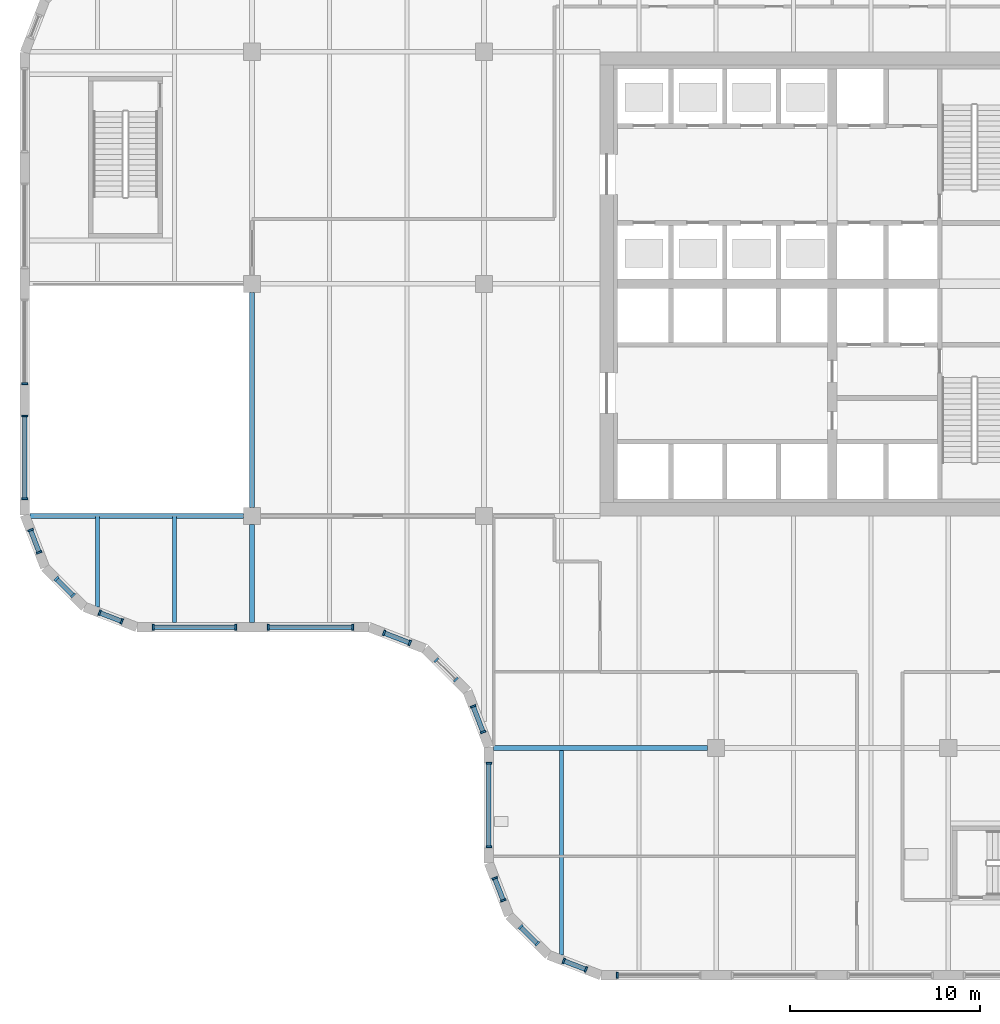
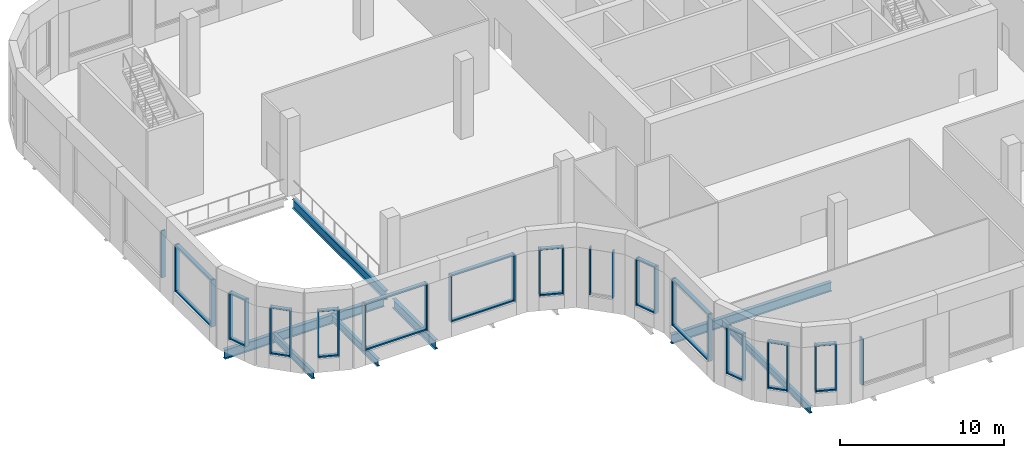
# One storey, part 2 of 36: 52 members, 7 beams, 15 elements without a shape of their own.
"""IFC4 building model written with IfcOpenShell, lengths in metres."""

from ifc_helpers import new_model, si_unit, direction, frame, origin, origin_2d, place, context, subcontext, project, spatial, rectangle, i_section, extrude, material, material_profile, profile_set, type_object, element, aggregate, save


model = new_model("IFC4")

# Units and contexts
model_context = context("Model", 3, precision=1e-05, world=origin(), true_north=direction((0.0, 1.0)))
body_context = subcontext(model_context, "Body", "Model", "MODEL_VIEW")
ifc_project = project(units=[si_unit("LENGTHUNIT", "METRE"), si_unit("AREAUNIT", "SQUARE_METRE"), si_unit("VOLUMEUNIT", "CUBIC_METRE"), si_unit("PLANEANGLEUNIT", "RADIAN"), si_unit("MASSUNIT", "GRAM", prefix="KILO")], contexts=[model_context])

# Site, building, storey
site_placement = place(None, origin())
site = spatial("IfcSite", under=ifc_project, at=site_placement, CompositionType="ELEMENT")
building_placement = place(site_placement, origin())
building = spatial("IfcBuilding", under=site, at=building_placement, Name="Tessera Gate Towers", CompositionType="ELEMENT")
storey_placement = place(building_placement, frame((0.0, 0.0, 106.60009765625)))
storey = spatial("IfcBuildingStorey", under=building, at=storey_placement, Name="L26", CompositionType="ELEMENT", Elevation=106.60009765625)

# Beams
ifc_material_1 = material(Name="Steel 350W", Category="steel")
ifc_material_profile_1 = material_profile(ifc_material_1, i_section(OverallWidth=0.2529296875, OverallDepth=0.677978515625, WebThickness=0.01171875, FlangeThickness=0.016357421875, at=origin_2d()), Name="W690x125")
ifc_profile_set_1 = profile_set([ifc_material_profile_1], Name="Steel 350W")
beam_type_1 = type_object("IfcBeamType", Name="FLOOR GIRDER W690x125", PredefinedType="BEAM", material=ifc_profile_set_1)
beam_1_placement = place(storey_placement, frame((24.89892578125, 12.199951171875, -0.589111328125), z_axis=(1.0, 0.0, 0.0), x_axis=(0.0, 1.0, 0.0)))
element("IfcBeam", 1, at=beam_1_placement, inside=storey, type_object=beam_type_1, Name="T1-GD-L26-3401", PredefinedType="BEAM", context=body_context, shape_type="SweptSolid", body=[
    extrude(i_section(OverallWidth=0.2529296875, OverallDepth=0.677978515625, WebThickness=0.01171875, FlangeThickness=0.016357421875, at=origin_2d()), origin(), (0.0, 0.0, 1.0), 11.2509765625),
])
beam_2_placement = place(storey_placement, frame((0.534912109375, 24.39990234375, -0.589111328125), z_axis=(1.0, 0.0, 0.0), x_axis=(0.0, 1.0, 0.0)))
element("IfcBeam", 2, at=beam_2_placement, inside=storey, type_object=beam_type_1, Name="T1-GD-L26-3404", PredefinedType="BEAM", context=body_context, shape_type="SweptSolid", body=[
    extrude(i_section(OverallWidth=0.2529296875, OverallDepth=0.677978515625, WebThickness=0.01171875, FlangeThickness=0.016357421875, at=origin_2d()), origin(), (0.0, 0.0, 1.0), 11.215087890625),
])
beam_3_placement = place(storey_placement, frame((12.199951171875, 18.799072265625, -0.589111328125), z_axis=(0.0, 1.0, 0.0), x_axis=(-1.0, 0.0, 0.0)))
element("IfcBeam", 3, at=beam_3_placement, inside=storey, type_object=beam_type_1, Name="T1-GD-L26-3416", PredefinedType="BEAM", context=body_context, shape_type="SweptSolid", body=[
    extrude(i_section(OverallWidth=0.2529296875, OverallDepth=0.677978515625, WebThickness=0.01171875, FlangeThickness=0.016357421875, at=origin_2d()), origin(), (0.0, 0.0, 1.0), 5.15087890625),
])
beam_4_placement = place(storey_placement, frame((12.199951171875, 24.85009765625, -0.589111328125), z_axis=(0.0, 1.0, 0.0), x_axis=(-1.0, 0.0, 0.0)))
element("IfcBeam", 4, at=beam_4_placement, inside=storey, type_object=beam_type_1, Name="T1-GD-L26-3417", PredefinedType="BEAM", context=body_context, shape_type="SweptSolid", body=[
    extrude(i_section(OverallWidth=0.2529296875, OverallDepth=0.677978515625, WebThickness=0.01171875, FlangeThickness=0.016357421875, at=origin_2d()), origin(), (0.0, 0.0, 1.0), 11.2998046875),
])
ifc_material_2 = material(Name="Steel 350W", Category="steel")
ifc_material_profile_2 = material_profile(ifc_material_2, i_section(OverallWidth=0.208984375, OverallDepth=0.528076171875, WebThickness=0.009521484375, FlangeThickness=0.01318359375, at=origin_2d()), Name="W530x82")
ifc_profile_set_2 = profile_set([ifc_material_profile_2], Name="Steel 350W")
beam_type_2 = type_object("IfcBeamType", Name="FLOOR SECONDARY W530x82", PredefinedType="BEAM", material=ifc_profile_set_2)
beam_5_placement = place(storey_placement, frame((4.066650390625, 19.620361328125, -0.51416015625), z_axis=(0.0, 1.0, 0.0), x_axis=(-1.0, 0.0, 0.0)))
element("IfcBeam", 5, at=beam_5_placement, inside=storey, type_object=beam_type_2, Name="T1-BM-L26-3437", PredefinedType="BEAM", context=body_context, shape_type="SweptSolid", body=[
    extrude(i_section(OverallWidth=0.208984375, OverallDepth=0.528076171875, WebThickness=0.009521484375, FlangeThickness=0.01318359375, at=origin_2d()), origin(), (0.0, 0.0, 1.0), 4.779541015625),
])
beam_6_placement = place(storey_placement, frame((8.13330078125, 18.800048828125, -0.51416015625), z_axis=(0.0, 1.0, 0.0), x_axis=(-1.0, 0.0, 0.0)))
element("IfcBeam", 6, at=beam_6_placement, inside=storey, type_object=beam_type_2, Name="T1-BM-L26-3440", PredefinedType="BEAM", context=body_context, shape_type="SweptSolid", body=[
    extrude(i_section(OverallWidth=0.208984375, OverallDepth=0.528076171875, WebThickness=0.009521484375, FlangeThickness=0.01318359375, at=origin_2d()), origin(), (0.0, 0.0, 1.0), 5.599853515625),
])
beam_7_placement = place(storey_placement, frame((28.466796875, 1.3203125, -0.51416015625), z_axis=(0.0, 1.0, 0.0), x_axis=(-1.0, 0.0, 0.0)))
element("IfcBeam", 7, at=beam_7_placement, inside=storey, type_object=beam_type_2, Name="T1-BM-L26-3451", PredefinedType="BEAM", context=body_context, shape_type="SweptSolid", body=[
    extrude(i_section(OverallWidth=0.208984375, OverallDepth=0.528076171875, WebThickness=0.009521484375, FlangeThickness=0.01318359375, at=origin_2d()), origin(), (0.0, 0.0, 1.0), 10.753173828125),
])

# Curtain wall, member
ifc_material_3 = material(Name="Aluminium frame", Category="aluminium")
curtain_wall_type = type_object("IfcCurtainWallType", Name="CW-S3 amenity floor glazing", PredefinedType="NOTDEFINED", material=ifc_material_3)
curtain_wall_1_placement = place(storey_placement, origin())
curtain_wall_1 = element("IfcCurtainWall", 8, at=curtain_wall_1_placement, inside=storey, type_object=curtain_wall_type, Name="Curtain wall amenity floor glazing 0001", PredefinedType="NOTDEFINED")
ifc_material_4 = material(Name="Aluminium frame", Category="aluminium")
ifc_material_profile_3 = material_profile(ifc_material_4, rectangle(XDim=0.10009765625, YDim=0.300048828125, at=origin_2d()), Name="AL 100x300")
ifc_profile_set_3 = profile_set([ifc_material_profile_3], Name="Aluminium frame")
member_type_1 = type_object("IfcMemberType", Name="MU-S3 mullion 100x300", PredefinedType="MULLION", material=ifc_profile_set_3)
member_1_placement = place(storey_placement, frame((31.396484375, 0.25, 1.0), z_axis=(0.0, 0.0, 1.0), x_axis=(1.0, 0.0, 0.0)))
member_1 = element("IfcMember", 9, at=member_1_placement, type_object=member_type_1, Name="T1-CW3-0001 mullion 1", PredefinedType="MULLION", context=body_context, shape_type="SweptSolid", body=[
    extrude(rectangle(XDim=0.10009765625, YDim=0.300048828125, at=origin_2d()), origin(), (0.0, 0.0, 1.0), 3.5),
])
aggregate(curtain_wall_1, [member_1])

curtain_wall_2_placement = place(storey_placement, origin())
curtain_wall_2 = element("IfcCurtainWall", 10, at=curtain_wall_2_placement, inside=storey, type_object=curtain_wall_type, Name="Curtain wall amenity floor glazing 0031", PredefinedType="NOTDEFINED")
member_2_placement = place(storey_placement, frame((0.25, 31.35009765625, 1.0), z_axis=(0.0, 0.0, 1.0), x_axis=(0.0, -1.0, 0.0)))
member_2 = element("IfcMember", 11, at=member_2_placement, type_object=member_type_1, Name="T1-CW3-0031 mullion 2", PredefinedType="MULLION", context=body_context, shape_type="SweptSolid", body=[
    extrude(rectangle(XDim=0.10009765625, YDim=0.300048828125, at=origin_2d()), origin(), (0.0, 0.0, 1.0), 3.5),
])
aggregate(curtain_wall_2, [member_2])

# Curtain wall, members
curtain_wall_3_placement = place(storey_placement, origin())
curtain_wall_3 = element("IfcCurtainWall", 12, at=curtain_wall_3_placement, inside=storey, type_object=curtain_wall_type, Name="Curtain wall amenity floor glazing 0032", PredefinedType="NOTDEFINED")
member_3_placement = place(storey_placement, frame((0.25, 29.64990234375, 1.0), z_axis=(0.0, 0.0, 1.0), x_axis=(0.0, -1.0, 0.0)))
member_3 = element("IfcMember", 13, at=member_3_placement, type_object=member_type_1, Name="T1-CW3-0032 mullion 1", PredefinedType="MULLION", context=body_context, shape_type="SweptSolid", body=[
    extrude(rectangle(XDim=0.10009765625, YDim=0.300048828125, at=origin_2d()), origin(), (0.0, 0.0, 1.0), 3.5),
])
member_4_placement = place(storey_placement, frame((0.25, 25.296630859375, 1.0), z_axis=(0.0, 0.0, 1.0), x_axis=(0.0, -1.0, 0.0)))
member_4 = element("IfcMember", 14, at=member_4_placement, type_object=member_type_1, Name="T1-CW3-0032 mullion 2", PredefinedType="MULLION", context=body_context, shape_type="SweptSolid", body=[
    extrude(rectangle(XDim=0.10009765625, YDim=0.300048828125, at=origin_2d()), origin(), (0.0, 0.0, 1.0), 3.5),
])

curtain_wall_4_placement = place(storey_placement, origin())
curtain_wall_4 = element("IfcCurtainWall", 15, at=curtain_wall_4_placement, inside=storey, type_object=curtain_wall_type, Name="Curtain wall amenity floor glazing 0033", PredefinedType="NOTDEFINED")
member_5_placement = place(storey_placement, frame((0.555908203125, 23.653564453125, 1.0), z_axis=(0.0, 0.0, 1.0), x_axis=(0.359904070394, -0.932989314041, 0.0)))
member_5 = element("IfcMember", 16, at=member_5_placement, type_object=member_type_1, Name="T1-CW3-0033 mullion 1", PredefinedType="MULLION", context=body_context, shape_type="SweptSolid", body=[
    extrude(rectangle(XDim=0.10009765625, YDim=0.300048828125, at=origin_2d()), origin(), (0.0, 0.0, 1.0), 3.5),
])
member_6_placement = place(storey_placement, frame((1.006103515625, 22.48681640625, 1.0), z_axis=(0.0, 0.0, 1.0), x_axis=(0.359904070394, -0.932989314041, 0.0)))
member_6 = element("IfcMember", 17, at=member_6_placement, type_object=member_type_1, Name="T1-CW3-0033 mullion 2", PredefinedType="MULLION", context=body_context, shape_type="SweptSolid", body=[
    extrude(rectangle(XDim=0.10009765625, YDim=0.300048828125, at=origin_2d()), origin(), (0.0, 0.0, 1.0), 3.5),
])

curtain_wall_5_placement = place(storey_placement, origin())
curtain_wall_5 = element("IfcCurtainWall", 18, at=curtain_wall_5_placement, inside=storey, type_object=curtain_wall_type, Name="Curtain wall amenity floor glazing 0034", PredefinedType="NOTDEFINED")
member_7_placement = place(storey_placement, frame((1.912841796875, 21.0927734375, 1.0), z_axis=(0.0, 0.0, 1.0), x_axis=(0.707106781187, -0.707106781187, 0.0)))
member_7 = element("IfcMember", 19, at=member_7_placement, type_object=member_type_1, Name="T1-CW3-0034 mullion 1", PredefinedType="MULLION", context=body_context, shape_type="SweptSolid", body=[
    extrude(rectangle(XDim=0.10009765625, YDim=0.300048828125, at=origin_2d()), origin(), (0.0, 0.0, 1.0), 3.5),
])
member_8_placement = place(storey_placement, frame((2.792724609375, 20.212890625, 1.0), z_axis=(0.0, 0.0, 1.0), x_axis=(0.707106781187, -0.707106781187, 0.0)))
member_8 = element("IfcMember", 20, at=member_8_placement, type_object=member_type_1, Name="T1-CW3-0034 mullion 2", PredefinedType="MULLION", context=body_context, shape_type="SweptSolid", body=[
    extrude(rectangle(XDim=0.10009765625, YDim=0.300048828125, at=origin_2d()), origin(), (0.0, 0.0, 1.0), 3.5),
])

curtain_wall_6_placement = place(storey_placement, origin())
curtain_wall_6 = element("IfcCurtainWall", 21, at=curtain_wall_6_placement, inside=storey, type_object=curtain_wall_type, Name="Curtain wall amenity floor glazing 0035", PredefinedType="NOTDEFINED")
member_9_placement = place(storey_placement, frame((4.186767578125, 19.305908203125, 1.0), z_axis=(0.0, 0.0, 1.0), x_axis=(0.932989314041, -0.359904070394, 0.0)))
member_9 = element("IfcMember", 22, at=member_9_placement, type_object=member_type_1, Name="T1-CW3-0035 mullion 1", PredefinedType="MULLION", context=body_context, shape_type="SweptSolid", body=[
    extrude(rectangle(XDim=0.10009765625, YDim=0.300048828125, at=origin_2d()), origin(), (0.0, 0.0, 1.0), 3.5),
])
member_10_placement = place(storey_placement, frame((5.353515625, 18.85595703125, 1.0), z_axis=(0.0, 0.0, 1.0), x_axis=(0.932989314041, -0.359904070394, 0.0)))
member_10 = element("IfcMember", 23, at=member_10_placement, type_object=member_type_1, Name="T1-CW3-0035 mullion 2", PredefinedType="MULLION", context=body_context, shape_type="SweptSolid", body=[
    extrude(rectangle(XDim=0.10009765625, YDim=0.300048828125, at=origin_2d()), origin(), (0.0, 0.0, 1.0), 3.5),
])

curtain_wall_7_placement = place(storey_placement, origin())
curtain_wall_7 = element("IfcCurtainWall", 24, at=curtain_wall_7_placement, inside=storey, type_object=curtain_wall_type, Name="Curtain wall amenity floor glazing 0036", PredefinedType="NOTDEFINED")
member_11_placement = place(storey_placement, frame((6.99658203125, 18.550048828125, 1.0), z_axis=(0.0, 0.0, 1.0), x_axis=(1.0, 0.0, 0.0)))
member_11 = element("IfcMember", 25, at=member_11_placement, type_object=member_type_1, Name="T1-CW3-0036 mullion 1", PredefinedType="MULLION", context=body_context, shape_type="SweptSolid", body=[
    extrude(rectangle(XDim=0.10009765625, YDim=0.300048828125, at=origin_2d()), origin(), (0.0, 0.0, 1.0), 3.5),
])
member_12_placement = place(storey_placement, frame((11.35009765625, 18.550048828125, 1.0), z_axis=(0.0, 0.0, 1.0), x_axis=(1.0, 0.0, 0.0)))
member_12 = element("IfcMember", 26, at=member_12_placement, type_object=member_type_1, Name="T1-CW3-0036 mullion 2", PredefinedType="MULLION", context=body_context, shape_type="SweptSolid", body=[
    extrude(rectangle(XDim=0.10009765625, YDim=0.300048828125, at=origin_2d()), origin(), (0.0, 0.0, 1.0), 3.5),
])

curtain_wall_8_placement = place(storey_placement, origin())
curtain_wall_8 = element("IfcCurtainWall", 27, at=curtain_wall_8_placement, inside=storey, type_object=curtain_wall_type, Name="Curtain wall amenity floor glazing 0037", PredefinedType="NOTDEFINED")
member_13_placement = place(storey_placement, frame((13.050048828125, 18.550048828125, 1.0), z_axis=(0.0, 0.0, 1.0), x_axis=(1.0, 0.0, 0.0)))
member_13 = element("IfcMember", 28, at=member_13_placement, type_object=member_type_1, Name="T1-CW3-0037 mullion 1", PredefinedType="MULLION", context=body_context, shape_type="SweptSolid", body=[
    extrude(rectangle(XDim=0.10009765625, YDim=0.300048828125, at=origin_2d()), origin(), (0.0, 0.0, 1.0), 3.5),
])
member_14_placement = place(storey_placement, frame((17.49658203125, 18.550048828125, 1.0), z_axis=(0.0, 0.0, 1.0), x_axis=(1.0, 0.0, 0.0)))
member_14 = element("IfcMember", 29, at=member_14_placement, type_object=member_type_1, Name="T1-CW3-0037 mullion 2", PredefinedType="MULLION", context=body_context, shape_type="SweptSolid", body=[
    extrude(rectangle(XDim=0.10009765625, YDim=0.300048828125, at=origin_2d()), origin(), (0.0, 0.0, 1.0), 3.5),
])

curtain_wall_9_placement = place(storey_placement, origin())
curtain_wall_9 = element("IfcCurtainWall", 30, at=curtain_wall_9_placement, inside=storey, type_object=curtain_wall_type, Name="Curtain wall amenity floor glazing 0038", PredefinedType="NOTDEFINED")
member_15_placement = place(storey_placement, frame((19.1396484375, 18.244140625, 1.0), z_axis=(0.0, 0.0, 1.0), x_axis=(0.932989451109, -0.359903715066, 0.0)))
member_15 = element("IfcMember", 31, at=member_15_placement, type_object=member_type_1, Name="T1-CW3-0038 mullion 1", PredefinedType="MULLION", context=body_context, shape_type="SweptSolid", body=[
    extrude(rectangle(XDim=0.10009765625, YDim=0.300048828125, at=origin_2d()), origin(), (0.0, 0.0, 1.0), 3.5),
])
member_16_placement = place(storey_placement, frame((20.491943359375, 17.722412109375, 1.0), z_axis=(0.0, 0.0, 1.0), x_axis=(0.932989451109, -0.359903715066, 0.0)))
member_16 = element("IfcMember", 32, at=member_16_placement, type_object=member_type_1, Name="T1-CW3-0038 mullion 2", PredefinedType="MULLION", context=body_context, shape_type="SweptSolid", body=[
    extrude(rectangle(XDim=0.10009765625, YDim=0.300048828125, at=origin_2d()), origin(), (0.0, 0.0, 1.0), 3.5),
])

curtain_wall_10_placement = place(storey_placement, origin())
curtain_wall_10 = element("IfcCurtainWall", 33, at=curtain_wall_10_placement, inside=storey, type_object=curtain_wall_type, Name="Curtain wall amenity floor glazing 0039", PredefinedType="NOTDEFINED")
member_17_placement = place(storey_placement, frame((21.885986328125, 16.8154296875, 1.0), z_axis=(0.0, 0.0, 1.0), x_axis=(0.707106781187, -0.707106781187, 0.0)))
member_17 = element("IfcMember", 34, at=member_17_placement, type_object=member_type_1, Name="T1-CW3-0039 mullion 1", PredefinedType="MULLION", context=body_context, shape_type="SweptSolid", body=[
    extrude(rectangle(XDim=0.10009765625, YDim=0.300048828125, at=origin_2d()), origin(), (0.0, 0.0, 1.0), 3.5),
])
member_18_placement = place(storey_placement, frame((22.91552734375, 15.7861328125, 1.0), z_axis=(0.0, 0.0, 1.0), x_axis=(0.707106781187, -0.707106781187, 0.0)))
member_18 = element("IfcMember", 35, at=member_18_placement, type_object=member_type_1, Name="T1-CW3-0039 mullion 2", PredefinedType="MULLION", context=body_context, shape_type="SweptSolid", body=[
    extrude(rectangle(XDim=0.10009765625, YDim=0.300048828125, at=origin_2d()), origin(), (0.0, 0.0, 1.0), 3.5),
])
aggregate(curtain_wall_10, [member_17, member_18])

curtain_wall_11_placement = place(storey_placement, origin())
curtain_wall_11 = element("IfcCurtainWall", 36, at=curtain_wall_11_placement, inside=storey, type_object=curtain_wall_type, Name="Curtain wall amenity floor glazing 0040", PredefinedType="NOTDEFINED")
member_19_placement = place(storey_placement, frame((23.822509765625, 14.391845703125, 1.0), z_axis=(0.0, 0.0, 1.0), x_axis=(0.359903715066, -0.932989451109, 0.0)))
member_19 = element("IfcMember", 37, at=member_19_placement, type_object=member_type_1, Name="T1-CW3-0040 mullion 1", PredefinedType="MULLION", context=body_context, shape_type="SweptSolid", body=[
    extrude(rectangle(XDim=0.10009765625, YDim=0.300048828125, at=origin_2d()), origin(), (0.0, 0.0, 1.0), 3.5),
])
member_20_placement = place(storey_placement, frame((24.343994140625, 13.03955078125, 1.0), z_axis=(0.0, 0.0, 1.0), x_axis=(0.359903715066, -0.932989451109, 0.0)))
member_20 = element("IfcMember", 38, at=member_20_placement, type_object=member_type_1, Name="T1-CW3-0040 mullion 2", PredefinedType="MULLION", context=body_context, shape_type="SweptSolid", body=[
    extrude(rectangle(XDim=0.10009765625, YDim=0.300048828125, at=origin_2d()), origin(), (0.0, 0.0, 1.0), 3.5),
])

curtain_wall_12_placement = place(storey_placement, origin())
curtain_wall_12 = element("IfcCurtainWall", 39, at=curtain_wall_12_placement, inside=storey, type_object=curtain_wall_type, Name="Curtain wall amenity floor glazing 0041", PredefinedType="NOTDEFINED")
member_21_placement = place(storey_placement, frame((24.64990234375, 11.396484375, 1.0), z_axis=(0.0, 0.0, 1.0), x_axis=(0.0, -1.0, 0.0)))
member_21 = element("IfcMember", 40, at=member_21_placement, type_object=member_type_1, Name="T1-CW3-0041 mullion 1", PredefinedType="MULLION", context=body_context, shape_type="SweptSolid", body=[
    extrude(rectangle(XDim=0.10009765625, YDim=0.300048828125, at=origin_2d()), origin(), (0.0, 0.0, 1.0), 3.5),
])
member_22_placement = place(storey_placement, frame((24.64990234375, 6.99658203125, 1.0), z_axis=(0.0, 0.0, 1.0), x_axis=(0.0, -1.0, 0.0)))
member_22 = element("IfcMember", 41, at=member_22_placement, type_object=member_type_1, Name="T1-CW3-0041 mullion 2", PredefinedType="MULLION", context=body_context, shape_type="SweptSolid", body=[
    extrude(rectangle(XDim=0.10009765625, YDim=0.300048828125, at=origin_2d()), origin(), (0.0, 0.0, 1.0), 3.5),
])

curtain_wall_13_placement = place(storey_placement, origin())
curtain_wall_13 = element("IfcCurtainWall", 42, at=curtain_wall_13_placement, inside=storey, type_object=curtain_wall_type, Name="Curtain wall amenity floor glazing 0042", PredefinedType="NOTDEFINED")
member_23_placement = place(storey_placement, frame((24.955810546875, 5.353515625, 1.0), z_axis=(0.0, 0.0, 1.0), x_axis=(0.359904070394, -0.932989314041, 0.0)))
member_23 = element("IfcMember", 43, at=member_23_placement, type_object=member_type_1, Name="T1-CW3-0042 mullion 1", PredefinedType="MULLION", context=body_context, shape_type="SweptSolid", body=[
    extrude(rectangle(XDim=0.10009765625, YDim=0.300048828125, at=origin_2d()), origin(), (0.0, 0.0, 1.0), 3.5),
])
member_24_placement = place(storey_placement, frame((25.406005859375, 4.186767578125, 1.0), z_axis=(0.0, 0.0, 1.0), x_axis=(0.359904070394, -0.932989314041, 0.0)))
member_24 = element("IfcMember", 44, at=member_24_placement, type_object=member_type_1, Name="T1-CW3-0042 mullion 2", PredefinedType="MULLION", context=body_context, shape_type="SweptSolid", body=[
    extrude(rectangle(XDim=0.10009765625, YDim=0.300048828125, at=origin_2d()), origin(), (0.0, 0.0, 1.0), 3.5),
])

curtain_wall_14_placement = place(storey_placement, origin())
curtain_wall_14 = element("IfcCurtainWall", 45, at=curtain_wall_14_placement, inside=storey, type_object=curtain_wall_type, Name="Curtain wall amenity floor glazing 0043", PredefinedType="NOTDEFINED")
member_25_placement = place(storey_placement, frame((26.31298828125, 2.792724609375, 1.0), z_axis=(0.0, 0.0, 1.0), x_axis=(0.707106781187, -0.707106781187, 0.0)))
member_25 = element("IfcMember", 46, at=member_25_placement, type_object=member_type_1, Name="T1-CW3-0043 mullion 1", PredefinedType="MULLION", context=body_context, shape_type="SweptSolid", body=[
    extrude(rectangle(XDim=0.10009765625, YDim=0.300048828125, at=origin_2d()), origin(), (0.0, 0.0, 1.0), 3.5),
])
member_26_placement = place(storey_placement, frame((27.192626953125, 1.912841796875, 1.0), z_axis=(0.0, 0.0, 1.0), x_axis=(0.707106781187, -0.707106781187, 0.0)))
member_26 = element("IfcMember", 47, at=member_26_placement, type_object=member_type_1, Name="T1-CW3-0043 mullion 2", PredefinedType="MULLION", context=body_context, shape_type="SweptSolid", body=[
    extrude(rectangle(XDim=0.10009765625, YDim=0.300048828125, at=origin_2d()), origin(), (0.0, 0.0, 1.0), 3.5),
])

curtain_wall_15_placement = place(storey_placement, origin())
curtain_wall_15 = element("IfcCurtainWall", 48, at=curtain_wall_15_placement, inside=storey, type_object=curtain_wall_type, Name="Curtain wall amenity floor glazing 0044", PredefinedType="NOTDEFINED")
member_27_placement = place(storey_placement, frame((28.586669921875, 1.006103515625, 1.0), z_axis=(0.0, 0.0, 1.0), x_axis=(0.932989314041, -0.359904070394, 0.0)))
member_27 = element("IfcMember", 49, at=member_27_placement, type_object=member_type_1, Name="T1-CW3-0044 mullion 1", PredefinedType="MULLION", context=body_context, shape_type="SweptSolid", body=[
    extrude(rectangle(XDim=0.10009765625, YDim=0.300048828125, at=origin_2d()), origin(), (0.0, 0.0, 1.0), 3.5),
])
member_28_placement = place(storey_placement, frame((29.75341796875, 0.555908203125, 1.0), z_axis=(0.0, 0.0, 1.0), x_axis=(0.932989314041, -0.359904070394, 0.0)))
member_28 = element("IfcMember", 50, at=member_28_placement, type_object=member_type_1, Name="T1-CW3-0044 mullion 2", PredefinedType="MULLION", context=body_context, shape_type="SweptSolid", body=[
    extrude(rectangle(XDim=0.10009765625, YDim=0.300048828125, at=origin_2d()), origin(), (0.0, 0.0, 1.0), 3.5),
])

# Member
ifc_material_5 = material(Name="Aluminium frame", Category="aluminium")
ifc_material_profile_4 = material_profile(ifc_material_5, rectangle(XDim=0.25, YDim=0.10009765625, at=origin_2d()), Name="AL 100x250")
ifc_profile_set_4 = profile_set([ifc_material_profile_4], Name="Aluminium frame")
member_type_2 = type_object("IfcMemberType", Name="TR-S3 transom 100x250", PredefinedType="USERDEFINED", material=ifc_profile_set_4)
member_29_placement = place(storey_placement, frame((0.25, 29.60009765625, 1.0498046875), z_axis=(0.0, -1.0, 0.0), x_axis=(1.0, 0.0, 0.0)))
member_29 = element("IfcMember", 51, at=member_29_placement, type_object=member_type_2, Name="T1-CW3-0032 transom 1.1", ObjectType="TRANSOM", PredefinedType="USERDEFINED", context=body_context, shape_type="SweptSolid", body=[
    extrude(rectangle(XDim=0.25, YDim=0.10009765625, at=origin_2d()), origin(), (0.0, 0.0, 1.0), 4.253662109375),
])

member_30_placement = place(storey_placement, frame((0.25, 29.60009765625, 4.449951171875), z_axis=(0.0, -1.0, 0.0), x_axis=(1.0, 0.0, 0.0)))
member_30 = element("IfcMember", 52, at=member_30_placement, type_object=member_type_2, Name="T1-CW3-0032 transom 1.2", ObjectType="TRANSOM", PredefinedType="USERDEFINED", context=body_context, shape_type="SweptSolid", body=[
    extrude(rectangle(XDim=0.25, YDim=0.10009765625, at=origin_2d()), origin(), (0.0, 0.0, 1.0), 4.253662109375),
])

aggregate(curtain_wall_3, [member_3, member_4, member_29, member_30])

member_31_placement = place(storey_placement, frame((0.573974609375, 23.60693359375, 1.0498046875), z_axis=(0.359874706938, -0.933000640571, 0.0), x_axis=(0.933000640571, 0.359874706938, 0.0)))
member_31 = element("IfcMember", 53, at=member_31_placement, type_object=member_type_2, Name="T1-CW3-0033 transom 1.1", ObjectType="TRANSOM", PredefinedType="USERDEFINED", context=body_context, shape_type="SweptSolid", body=[
    extrude(rectangle(XDim=0.25, YDim=0.10009765625, at=origin_2d()), origin(), (0.0, 0.0, 1.0), 1.150634765625),
])

member_32_placement = place(storey_placement, frame((0.573974609375, 23.60693359375, 4.449951171875), z_axis=(0.359874706938, -0.933000640571, 0.0), x_axis=(0.933000640571, 0.359874706938, 0.0)))
member_32 = element("IfcMember", 54, at=member_32_placement, type_object=member_type_2, Name="T1-CW3-0033 transom 1.2", ObjectType="TRANSOM", PredefinedType="USERDEFINED", context=body_context, shape_type="SweptSolid", body=[
    extrude(rectangle(XDim=0.25, YDim=0.10009765625, at=origin_2d()), origin(), (0.0, 0.0, 1.0), 1.150634765625),
])

aggregate(curtain_wall_4, [member_5, member_6, member_31, member_32])

member_33_placement = place(storey_placement, frame((1.9482421875, 21.057373046875, 1.0498046875), z_axis=(0.707106781187, -0.707106781187, 0.0), x_axis=(0.707106781187, 0.707106781187, 0.0)))
member_33 = element("IfcMember", 55, at=member_33_placement, type_object=member_type_2, Name="T1-CW3-0034 transom 1.1", ObjectType="TRANSOM", PredefinedType="USERDEFINED", context=body_context, shape_type="SweptSolid", body=[
    extrude(rectangle(XDim=0.25, YDim=0.10009765625, at=origin_2d()), origin(), (0.0, 0.0, 1.0), 1.144287109375),
])

member_34_placement = place(storey_placement, frame((1.9482421875, 21.057373046875, 4.449951171875), z_axis=(0.707106781187, -0.707106781187, 0.0), x_axis=(0.707106781187, 0.707106781187, 0.0)))
member_34 = element("IfcMember", 56, at=member_34_placement, type_object=member_type_2, Name="T1-CW3-0034 transom 1.2", ObjectType="TRANSOM", PredefinedType="USERDEFINED", context=body_context, shape_type="SweptSolid", body=[
    extrude(rectangle(XDim=0.25, YDim=0.10009765625, at=origin_2d()), origin(), (0.0, 0.0, 1.0), 1.144287109375),
])

aggregate(curtain_wall_5, [member_7, member_8, member_33, member_34])

member_35_placement = place(storey_placement, frame((4.2333984375, 19.2880859375, 1.0498046875), z_axis=(0.933000640571, -0.359874706938, 0.0), x_axis=(0.359874706938, 0.933000640571, 0.0)))
member_35 = element("IfcMember", 57, at=member_35_placement, type_object=member_type_2, Name="T1-CW3-0035 transom 1.1", ObjectType="TRANSOM", PredefinedType="USERDEFINED", context=body_context, shape_type="SweptSolid", body=[
    extrude(rectangle(XDim=0.25, YDim=0.10009765625, at=origin_2d()), origin(), (0.0, 0.0, 1.0), 1.150634765625),
])

member_36_placement = place(storey_placement, frame((4.2333984375, 19.2880859375, 4.449951171875), z_axis=(0.933000640571, -0.359874706938, 0.0), x_axis=(0.359874706938, 0.933000640571, 0.0)))
member_36 = element("IfcMember", 58, at=member_36_placement, type_object=member_type_2, Name="T1-CW3-0035 transom 1.2", ObjectType="TRANSOM", PredefinedType="USERDEFINED", context=body_context, shape_type="SweptSolid", body=[
    extrude(rectangle(XDim=0.25, YDim=0.10009765625, at=origin_2d()), origin(), (0.0, 0.0, 1.0), 1.150634765625),
])

aggregate(curtain_wall_6, [member_9, member_10, member_35, member_36])

member_37_placement = place(storey_placement, frame((7.046630859375, 18.550048828125, 1.0498046875), z_axis=(1.0, 0.0, 0.0), x_axis=(0.0, 1.0, 0.0)))
member_37 = element("IfcMember", 59, at=member_37_placement, type_object=member_type_2, Name="T1-CW3-0036 transom 1.1", ObjectType="TRANSOM", PredefinedType="USERDEFINED", context=body_context, shape_type="SweptSolid", body=[
    extrude(rectangle(XDim=0.25, YDim=0.10009765625, at=origin_2d()), origin(), (0.0, 0.0, 1.0), 4.25341796875),
])

member_38_placement = place(storey_placement, frame((7.046630859375, 18.550048828125, 4.449951171875), z_axis=(1.0, 0.0, 0.0), x_axis=(0.0, 1.0, 0.0)))
member_38 = element("IfcMember", 60, at=member_38_placement, type_object=member_type_2, Name="T1-CW3-0036 transom 1.2", ObjectType="TRANSOM", PredefinedType="USERDEFINED", context=body_context, shape_type="SweptSolid", body=[
    extrude(rectangle(XDim=0.25, YDim=0.10009765625, at=origin_2d()), origin(), (0.0, 0.0, 1.0), 4.25341796875),
])

aggregate(curtain_wall_7, [member_11, member_12, member_37, member_38])

member_39_placement = place(storey_placement, frame((13.10009765625, 18.550048828125, 1.0498046875), z_axis=(1.0, 0.0, 0.0), x_axis=(0.0, 1.0, 0.0)))
member_39 = element("IfcMember", 61, at=member_39_placement, type_object=member_type_2, Name="T1-CW3-0037 transom 1.1", ObjectType="TRANSOM", PredefinedType="USERDEFINED", context=body_context, shape_type="SweptSolid", body=[
    extrude(rectangle(XDim=0.25, YDim=0.10009765625, at=origin_2d()), origin(), (0.0, 0.0, 1.0), 4.346435546875),
])

member_40_placement = place(storey_placement, frame((13.10009765625, 18.550048828125, 4.449951171875), z_axis=(1.0, 0.0, 0.0), x_axis=(0.0, 1.0, 0.0)))
member_40 = element("IfcMember", 62, at=member_40_placement, type_object=member_type_2, Name="T1-CW3-0037 transom 1.2", ObjectType="TRANSOM", PredefinedType="USERDEFINED", context=body_context, shape_type="SweptSolid", body=[
    extrude(rectangle(XDim=0.25, YDim=0.10009765625, at=origin_2d()), origin(), (0.0, 0.0, 1.0), 4.346435546875),
])

aggregate(curtain_wall_8, [member_13, member_14, member_39, member_40])

member_41_placement = place(storey_placement, frame((19.186279296875, 18.22607421875, 1.0498046875), z_axis=(0.933009468377, -0.359851819391, 0.0), x_axis=(0.359851819391, 0.933009468377, 0.0)))
member_41 = element("IfcMember", 63, at=member_41_placement, type_object=member_type_2, Name="T1-CW3-0038 transom 1.1", ObjectType="TRANSOM", PredefinedType="USERDEFINED", context=body_context, shape_type="SweptSolid", body=[
    extrude(rectangle(XDim=0.25, YDim=0.10009765625, at=origin_2d()), origin(), (0.0, 0.0, 1.0), 1.349365234375),
])

member_42_placement = place(storey_placement, frame((19.186279296875, 18.22607421875, 4.449951171875), z_axis=(0.933009468377, -0.359851819391, 0.0), x_axis=(0.359851819391, 0.933009468377, 0.0)))
member_42 = element("IfcMember", 64, at=member_42_placement, type_object=member_type_2, Name="T1-CW3-0038 transom 1.2", ObjectType="TRANSOM", PredefinedType="USERDEFINED", context=body_context, shape_type="SweptSolid", body=[
    extrude(rectangle(XDim=0.25, YDim=0.10009765625, at=origin_2d()), origin(), (0.0, 0.0, 1.0), 1.349365234375),
])

aggregate(curtain_wall_9, [member_15, member_16, member_41, member_42])

member_43_placement = place(storey_placement, frame((23.84033203125, 14.34521484375, 1.0498046875), z_axis=(0.360009296925, -0.932948715701, 0.0), x_axis=(0.932948715701, 0.360009296925, 0.0)))
member_43 = element("IfcMember", 65, at=member_43_placement, type_object=member_type_2, Name="T1-CW3-0040 transom 1.1", ObjectType="TRANSOM", PredefinedType="USERDEFINED", context=body_context, shape_type="SweptSolid", body=[
    extrude(rectangle(XDim=0.25, YDim=0.10009765625, at=origin_2d()), origin(), (0.0, 0.0, 1.0), 1.349609375),
])

member_44_placement = place(storey_placement, frame((23.84033203125, 14.34521484375, 4.449951171875), z_axis=(0.360009296925, -0.932948715701, 0.0), x_axis=(0.932948715701, 0.360009296925, 0.0)))
member_44 = element("IfcMember", 66, at=member_44_placement, type_object=member_type_2, Name="T1-CW3-0040 transom 1.2", ObjectType="TRANSOM", PredefinedType="USERDEFINED", context=body_context, shape_type="SweptSolid", body=[
    extrude(rectangle(XDim=0.25, YDim=0.10009765625, at=origin_2d()), origin(), (0.0, 0.0, 1.0), 1.349609375),
])

aggregate(curtain_wall_11, [member_19, member_20, member_43, member_44])

member_45_placement = place(storey_placement, frame((24.64990234375, 11.346435546875, 1.0498046875), z_axis=(0.0, -1.0, 0.0), x_axis=(1.0, 0.0, 0.0)))
member_45 = element("IfcMember", 67, at=member_45_placement, type_object=member_type_2, Name="T1-CW3-0041 transom 1.1", ObjectType="TRANSOM", PredefinedType="USERDEFINED", context=body_context, shape_type="SweptSolid", body=[
    extrude(rectangle(XDim=0.25, YDim=0.10009765625, at=origin_2d()), origin(), (0.0, 0.0, 1.0), 4.2998046875),
])

member_46_placement = place(storey_placement, frame((24.64990234375, 11.346435546875, 4.449951171875), z_axis=(0.0, -1.0, 0.0), x_axis=(1.0, 0.0, 0.0)))
member_46 = element("IfcMember", 68, at=member_46_placement, type_object=member_type_2, Name="T1-CW3-0041 transom 1.2", ObjectType="TRANSOM", PredefinedType="USERDEFINED", context=body_context, shape_type="SweptSolid", body=[
    extrude(rectangle(XDim=0.25, YDim=0.10009765625, at=origin_2d()), origin(), (0.0, 0.0, 1.0), 4.2998046875),
])

aggregate(curtain_wall_12, [member_21, member_22, member_45, member_46])

member_47_placement = place(storey_placement, frame((24.973876953125, 5.306884765625, 1.0498046875), z_axis=(0.359874706938, -0.933000640571, 0.0), x_axis=(0.933000640571, 0.359874706938, 0.0)))
member_47 = element("IfcMember", 69, at=member_47_placement, type_object=member_type_2, Name="T1-CW3-0042 transom 1.1", ObjectType="TRANSOM", PredefinedType="USERDEFINED", context=body_context, shape_type="SweptSolid", body=[
    extrude(rectangle(XDim=0.25, YDim=0.10009765625, at=origin_2d()), origin(), (0.0, 0.0, 1.0), 1.150634765625),
])

member_48_placement = place(storey_placement, frame((24.973876953125, 5.306884765625, 4.449951171875), z_axis=(0.359874706938, -0.933000640571, 0.0), x_axis=(0.933000640571, 0.359874706938, 0.0)))
member_48 = element("IfcMember", 70, at=member_48_placement, type_object=member_type_2, Name="T1-CW3-0042 transom 1.2", ObjectType="TRANSOM", PredefinedType="USERDEFINED", context=body_context, shape_type="SweptSolid", body=[
    extrude(rectangle(XDim=0.25, YDim=0.10009765625, at=origin_2d()), origin(), (0.0, 0.0, 1.0), 1.150634765625),
])

aggregate(curtain_wall_13, [member_23, member_24, member_47, member_48])

member_49_placement = place(storey_placement, frame((26.348388671875, 2.75732421875, 1.0498046875), z_axis=(0.70700007225, -0.707213474022, 0.0), x_axis=(0.707213474022, 0.70700007225, 0.0)))
member_49 = element("IfcMember", 71, at=member_49_placement, type_object=member_type_2, Name="T1-CW3-0043 transom 1.1", ObjectType="TRANSOM", PredefinedType="USERDEFINED", context=body_context, shape_type="SweptSolid", body=[
    extrude(rectangle(XDim=0.25, YDim=0.10009765625, at=origin_2d()), origin(), (0.0, 0.0, 1.0), 1.14404296875),
])

member_50_placement = place(storey_placement, frame((26.348388671875, 2.75732421875, 4.449951171875), z_axis=(0.70700007225, -0.707213474022, 0.0), x_axis=(0.707213474022, 0.70700007225, 0.0)))
member_50 = element("IfcMember", 72, at=member_50_placement, type_object=member_type_2, Name="T1-CW3-0043 transom 1.2", ObjectType="TRANSOM", PredefinedType="USERDEFINED", context=body_context, shape_type="SweptSolid", body=[
    extrude(rectangle(XDim=0.25, YDim=0.10009765625, at=origin_2d()), origin(), (0.0, 0.0, 1.0), 1.14404296875),
])

aggregate(curtain_wall_14, [member_25, member_26, member_49, member_50])

member_51_placement = place(storey_placement, frame((28.633544921875, 0.988037109375, 1.0498046875), z_axis=(0.932973151687, -0.35994596571, 0.0), x_axis=(0.35994596571, 0.932973151687, 0.0)))
member_51 = element("IfcMember", 73, at=member_51_placement, type_object=member_type_2, Name="T1-CW3-0044 transom 1.1", ObjectType="TRANSOM", PredefinedType="USERDEFINED", context=body_context, shape_type="SweptSolid", body=[
    extrude(rectangle(XDim=0.25, YDim=0.10009765625, at=origin_2d()), origin(), (0.0, 0.0, 1.0), 1.150390625),
])

member_52_placement = place(storey_placement, frame((28.633544921875, 0.988037109375, 4.449951171875), z_axis=(0.932973151687, -0.35994596571, 0.0), x_axis=(0.35994596571, 0.932973151687, 0.0)))
member_52 = element("IfcMember", 74, at=member_52_placement, type_object=member_type_2, Name="T1-CW3-0044 transom 1.2", ObjectType="TRANSOM", PredefinedType="USERDEFINED", context=body_context, shape_type="SweptSolid", body=[
    extrude(rectangle(XDim=0.25, YDim=0.10009765625, at=origin_2d()), origin(), (0.0, 0.0, 1.0), 1.150390625),
])

aggregate(curtain_wall_15, [member_27, member_28, member_51, member_52])

save(model, "model.ifc")
